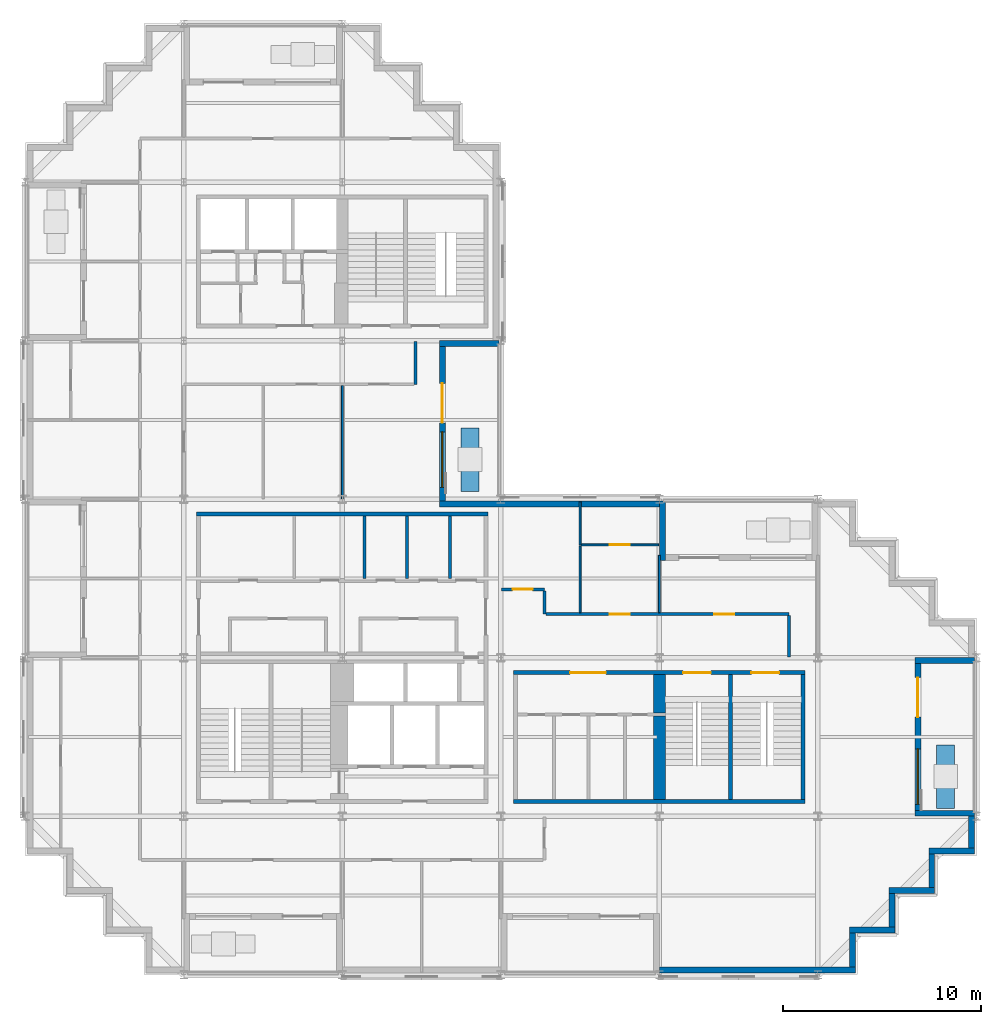
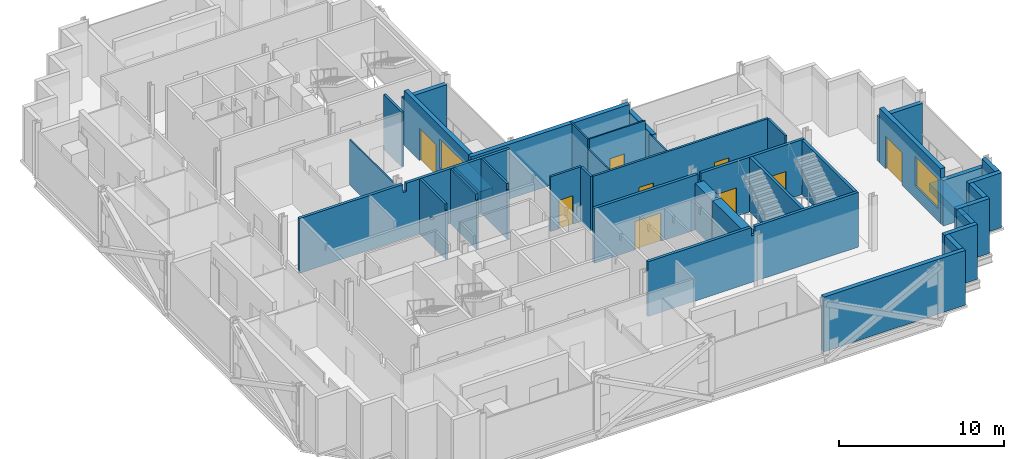
# One storey, part 7 of 13: 37 walls, 9 doors, 2 windows, 11 openings.
"""IFC4 building model written with IfcOpenShell, lengths in metres."""

from ifc_helpers import new_model, si_unit, direction, frame, frame_2d, origin, place, context, subcontext, project, spatial, polyline, rectangle, outline, extrude, material, layer, layer_set, type_object, element, fill, save


model = new_model("IFC4")

# Units and contexts
model_context = context("Model", 3, precision=1e-05, world=origin(), true_north=direction((0.0, 1.0)))
body_context = subcontext(model_context, "Body", "Model", "MODEL_VIEW")
ifc_project = project(units=[si_unit("LENGTHUNIT", "METRE"), si_unit("AREAUNIT", "SQUARE_METRE"), si_unit("VOLUMEUNIT", "CUBIC_METRE"), si_unit("PLANEANGLEUNIT", "RADIAN"), si_unit("MASSUNIT", "GRAM", prefix="KILO")], contexts=[model_context])

# Site, building, storey
site_placement = place(None, origin())
site = spatial("IfcSite", under=ifc_project, at=site_placement, CompositionType="ELEMENT")
building_placement = place(site_placement, origin())
building = spatial("IfcBuilding", under=site, at=building_placement, Name="Immortelle Media Tower", CompositionType="ELEMENT")
storey_placement = place(building_placement, frame((0.0, 0.0, 166.199951171875)))
storey = spatial("IfcBuildingStorey", under=building, at=storey_placement, Name="L34", CompositionType="ELEMENT", Elevation=166.199951171875)

# Walls
ifc_material_1 = material(Name="Fire-rated gypsum board", Category="gypsum")
ifc_layer_1 = layer(ifc_material_1, 0.02490234375)
ifc_material_2 = material(Name="Steel ASTM A653 SS Gr 50 stud frame with mineral wool", Category="steel")
ifc_layer_2 = layer(ifc_material_2, 0.10009765625)
ifc_layer_3 = layer(ifc_material_1, 0.02490234375)
ifc_layer_set_1 = layer_set([ifc_layer_1, ifc_layer_2, ifc_layer_3], Name="Steel ASTM A653 SS Gr 50 stud frame with mineral wool")
wall_type_1 = type_object("IfcWallType", Name="Core partition 150", PredefinedType="PARTITIONING", material=ifc_layer_set_1)
for number, where, z_axis, x_axis, name in (
    (1, (17.125, 20.0, 0.0), (0.0, 0.0, 1.0), (0.0, 1.0, 0.0), "Core partition SW"),
    (2, (19.27490234375, 20.0, 0.0), (0.0, 0.0, 1.0), (0.0, 1.0, 0.0), "Core partition SW"),
    (3, (21.425048828125, 20.0, 0.0), (0.0, 0.0, 1.0), (0.0, 1.0, 0.0), "Core partition SW"),
):
    element("IfcWall", number, at=place(storey_placement, frame(where, z_axis=z_axis, x_axis=x_axis)), inside=storey, type_object=wall_type_1, Name=name, PredefinedType="PARTITIONING", context=body_context, shape_type="SweptSolid", body=[
        extrude(outline(polyline([(0.0, 0.0), (3.14990234375, 0.0), (3.14990234375, 4.050048828125), (0.08154296875, 4.050048828125), (0.08056640625, 3.589111328125), (0.0, 3.589111328125), (0.0, 0.0)])), frame((0.0, 0.074951171875, 0.0), z_axis=(0.0, -1.0, 0.0), x_axis=(1.0, 0.0, 0.0)), (0.0, 0.0, 1.0), 0.14990234375),
    ])
ifc_layer_4 = layer(ifc_material_1, 0.03759765625)
ifc_layer_5 = layer(ifc_material_2, 0.125)
ifc_layer_6 = layer(ifc_material_1, 0.03759765625)
ifc_layer_set_2 = layer_set([ifc_layer_4, ifc_layer_5, ifc_layer_6], Name="Steel ASTM A653 SS Gr 50 stud frame with mineral wool")
wall_type_2 = type_object("IfcWallType", Name="Core shaft wall 200", PredefinedType="PARTITIONING", material=ifc_layer_set_2)
wall_1_placement = place(storey_placement, frame((8.64990234375, 23.25, 0.0), z_axis=(0.0, 0.0, 1.0), x_axis=(1.0, 0.0, 0.0)))
element("IfcWall", 4, at=wall_1_placement, inside=storey, type_object=wall_type_2, Name="Core shaft wall SW", PredefinedType="PARTITIONING", context=body_context, shape_type="SweptSolid", body=[
    extrude(outline(polyline([(0.0, 0.0), (14.7001953125, 0.0), (14.699951171875, 4.050048828125), (7.468994140625, 4.050048828125), (7.468017578125, 3.442138671875), (7.23193359375, 3.442138671875), (7.23095703125, 4.050048828125), (0.0, 4.050048828125), (0.0, 0.0)])), frame((0.0, 0.10009765625, 0.0), z_axis=(0.0, -1.0, 0.0), x_axis=(1.0, 0.0, 0.0)), (0.0, 0.0, 1.0), 0.199951171875),
])
ifc_layer_7 = layer(ifc_material_1, 0.012451171875)
ifc_layer_8 = layer(ifc_material_2, 0.125)
ifc_layer_9 = layer(ifc_material_1, 0.012451171875)
ifc_layer_set_3 = layer_set([ifc_layer_7, ifc_layer_8, ifc_layer_9], Name="Steel ASTM A653 SS Gr 50 stud frame with mineral wool")
wall_type_3 = type_object("IfcWallType", Name="Corridor wall 150", PredefinedType="PARTITIONING", material=ifc_layer_set_3)
wall_2_placement = place(storey_placement, frame((38.550048828125, 16.030029296875, 0.0), z_axis=(0.0, 0.0, 1.0), x_axis=(0.0, 1.0, 0.0)))
element("IfcWall", 5, at=wall_2_placement, inside=storey, type_object=wall_type_3, Name="Partition L34-010", PredefinedType="PARTITIONING", context=body_context, shape_type="SweptSolid", body=[
    extrude(rectangle(XDim=2.094970703125, YDim=0.14990234375, at=frame_2d((1.04736328125, 0.0))), origin(), (0.0, 0.0, 1.0), 4.050048828125),
])

# Wall, openings, doors
wall_3_placement = place(storey_placement, frame((26.27490234375, 18.199951171875, 0.0), z_axis=(0.0, 0.0, 1.0), x_axis=(1.0, 0.0, 0.0)))
wall_3 = element("IfcWall", 6, at=wall_3_placement, inside=storey, type_object=wall_type_3, Name="Partition L34-012", PredefinedType="PARTITIONING", context=body_context, shape_type="SweptSolid", body=[
    extrude(rectangle(XDim=12.275146484375, YDim=0.14990234375, at=frame_2d((6.1376953125, 0.0))), origin(), (0.0, 0.0, 1.0), 4.050048828125),
])
opening_1_placement = place(wall_3_placement, frame((8.5, 0.0, 0.0)))
opening_1 = element("IfcOpeningElement", 7, at=opening_1_placement, cuts=wall_3, Name="Opening C5-F007", PredefinedType="OPENING", context=body_context, shape_type="SweptSolid", body=[
    extrude(rectangle(XDim=1.0, YDim=2.10009765625, at=frame_2d((0.5, 1.050048828125))), frame((0.0, 0.0849609375, 0.0), z_axis=(0.0, -1.0, 0.0), x_axis=(1.0, 0.0, 0.0)), (0.0, 0.0, 1.0), 0.169921875),
])
opening_2_placement = place(wall_3_placement, frame((4.22509765625, 0.0, 0.0), z_axis=(0.0, 0.0, 1.0), x_axis=(-1.0, 0.0, 0.0)))
opening_2 = element("IfcOpeningElement", 8, at=opening_2_placement, cuts=wall_3, Name="Opening C5-F011", PredefinedType="OPENING", context=body_context, shape_type="SweptSolid", body=[
    extrude(rectangle(XDim=1.0, YDim=2.10009765625, at=frame_2d((0.5, 1.050048828125))), frame((0.0, 0.0849609375, 0.0), z_axis=(0.0, -1.0, 0.0), x_axis=(1.0, 0.0, 0.0)), (0.0, 0.0, 1.0), 0.169921875),
])
ifc_material_3 = material(Name="Timber veneered door leaf, galvanised steel frame ASTM A653", Category="steel")
door_type_1 = type_object("IfcDoorType", Name="Room door 1000 x 2100", OperationType="NOTDEFINED", PredefinedType="DOOR", material=ifc_material_3)
door_1_placement = place(opening_1_placement, origin())
door_1 = element("IfcDoor", 9, at=door_1_placement, inside=storey, type_object=door_type_1, Name="Door C5-F007", OperationType="SINGLE_SWING_LEFT", OverallHeight=2.10009765625, OverallWidth=1.0, PredefinedType="DOOR", context=body_context, shape_type="SweptSolid", body=[
    extrude(rectangle(XDim=1.0, YDim=2.10009765625, at=frame_2d((0.5, 1.050048828125))), frame((0.0, 0.02490234375, 0.0), z_axis=(0.0, -1.0, 0.0), x_axis=(1.0, 0.0, 0.0)), (0.0, 0.0, 1.0), 0.050048828125),
])
fill(opening_1, door_1)
door_2_placement = place(opening_2_placement, origin())
door_2 = element("IfcDoor", 10, at=door_2_placement, inside=storey, type_object=door_type_1, Name="Door C5-F011", OperationType="SINGLE_SWING_RIGHT", OverallHeight=2.10009765625, OverallWidth=1.0, PredefinedType="DOOR", context=body_context, shape_type="SweptSolid", body=[
    extrude(rectangle(XDim=1.0, YDim=2.10009765625, at=frame_2d((0.5, 1.050048828125))), frame((0.0, 0.02490234375, 0.0), z_axis=(0.0, -1.0, 0.0), x_axis=(1.0, 0.0, 0.0)), (0.0, 0.0, 1.0), 0.050048828125),
])
fill(opening_2, door_2)

# Wall
wall_4_placement = place(storey_placement, frame((26.199951171875, 18.199951171875, 0.0), z_axis=(0.0, 0.0, 1.0), x_axis=(0.0, 1.0, 0.0)))
element("IfcWall", 11, at=wall_4_placement, inside=storey, type_object=wall_type_3, Name="Partition L34-013", PredefinedType="PARTITIONING", context=body_context, shape_type="SweptSolid", body=[
    extrude(rectangle(XDim=1.175048828125, YDim=0.14990234375, at=frame_2d((0.58740234375, 0.0))), origin(), (0.0, 0.0, 1.0), 4.050048828125),
])

# Wall, opening, door
wall_5_placement = place(storey_placement, frame((24.030029296875, 19.449951171875, 0.0), z_axis=(0.0, 0.0, 1.0), x_axis=(1.0, 0.0, 0.0)))
wall_5 = element("IfcWall", 12, at=wall_5_placement, inside=storey, type_object=wall_type_3, Name="Partition L34-016", PredefinedType="PARTITIONING", context=body_context, shape_type="SweptSolid", body=[
    extrude(rectangle(XDim=2.169921875, YDim=0.14990234375, at=frame_2d((1.0849609375, 0.0))), origin(), (0.0, 0.0, 1.0), 4.050048828125),
])
opening_3_placement = place(wall_5_placement, frame((0.570068359375, 0.0, 0.0)))
opening_3 = element("IfcOpeningElement", 13, at=opening_3_placement, cuts=wall_5, Name="Opening C5-F010", PredefinedType="OPENING", context=body_context, shape_type="SweptSolid", body=[
    extrude(rectangle(XDim=1.0, YDim=2.10009765625, at=frame_2d((0.5, 1.050048828125))), frame((0.0, 0.0849609375, 0.0), z_axis=(0.0, -1.0, 0.0), x_axis=(1.0, 0.0, 0.0)), (0.0, 0.0, 1.0), 0.169921875),
])
door_3_placement = place(opening_3_placement, origin())
door_3 = element("IfcDoor", 14, at=door_3_placement, inside=storey, type_object=door_type_1, Name="Door C5-F010", OperationType="SINGLE_SWING_LEFT", OverallHeight=2.10009765625, OverallWidth=1.0, PredefinedType="DOOR", context=body_context, shape_type="SweptSolid", body=[
    extrude(rectangle(XDim=1.0, YDim=2.10009765625, at=frame_2d((0.5, 1.050048828125))), frame((0.0, 0.02490234375, 0.0), z_axis=(0.0, -1.0, 0.0), x_axis=(1.0, 0.0, 0.0)), (0.0, 0.0, 1.0), 0.050048828125),
])
fill(opening_3, door_3)

# Walls
wall_6_placement = place(storey_placement, frame((19.699951171875, 29.800048828125, 0.0), z_axis=(0.0, 0.0, 1.0), x_axis=(0.0, 1.0, 0.0)))
element("IfcWall", 15, at=wall_6_placement, inside=storey, type_object=wall_type_3, Name="Partition L34-028", PredefinedType="PARTITIONING", context=body_context, shape_type="SweptSolid", body=[
    extrude(rectangle(XDim=2.169921875, YDim=0.14990234375, at=frame_2d((1.0849609375, 0.0))), origin(), (0.0, 0.0, 1.0), 4.050048828125),
])
ifc_material_4 = material(Name="Pale aluminium cladding panel", Category="aluminium")
ifc_layer_10 = layer(ifc_material_4, 0.030029296875)
ifc_layer_11 = layer(ifc_material_2, 0.257568359375)
ifc_material_5 = material(Name="Moisture-resistant gypsum board", Category="gypsum")
ifc_layer_12 = layer(ifc_material_5, 0.012451171875)
ifc_layer_set_4 = layer_set([ifc_layer_10, ifc_layer_11, ifc_layer_12], Name="Steel ASTM A653 SS Gr 50 stud frame with mineral wool")
wall_type_4 = type_object("IfcWallType", Name="Facade wall 300", PredefinedType="SOLIDWALL", material=ifc_layer_set_4)
wall_7_placement = place(storey_placement, frame((32.0, 0.25, 0.0), z_axis=(0.0, 0.0, 1.0), x_axis=(1.0, 0.0, 0.0)))
element("IfcWall", 16, at=wall_7_placement, inside=storey, type_object=wall_type_4, Name="Facade wall L34 S6", PredefinedType="SOLIDWALL", context=body_context, shape_type="SweptSolid", body=[
    extrude(rectangle(XDim=9.89990234375, YDim=0.300048828125, at=frame_2d((4.949951171875, 0.0))), origin(), (0.0, 0.0, 1.0), 4.050048828125),
])
wall_8_placement = place(storey_placement, frame((41.75, 0.39990234375, 0.0), z_axis=(0.0, 0.0, 1.0), x_axis=(0.0, 1.0, 0.0)))
element("IfcWall", 17, at=wall_8_placement, inside=storey, type_object=wall_type_4, Name="Facade wall L34 E7", PredefinedType="SOLIDWALL", context=body_context, shape_type="SweptSolid", body=[
    extrude(rectangle(XDim=1.7001953125, YDim=0.300048828125, at=frame_2d((0.85009765625, 0.0))), origin(), (0.0, 0.0, 1.0), 4.050048828125),
])
wall_9_placement = place(storey_placement, frame((41.60009765625, 2.25, 0.0), z_axis=(0.0, 0.0, 1.0), x_axis=(1.0, 0.0, 0.0)))
element("IfcWall", 18, at=wall_9_placement, inside=storey, type_object=wall_type_4, Name="Facade wall L34 S8", PredefinedType="SOLIDWALL", context=body_context, shape_type="SweptSolid", body=[
    extrude(rectangle(XDim=2.2998046875, YDim=0.300048828125, at=frame_2d((1.14990234375, 0.0))), origin(), (0.0, 0.0, 1.0), 4.050048828125),
])
wall_10_placement = place(storey_placement, frame((43.75, 2.39990234375, 0.0), z_axis=(0.0, 0.0, 1.0), x_axis=(0.0, 1.0, 0.0)))
element("IfcWall", 19, at=wall_10_placement, inside=storey, type_object=wall_type_4, Name="Facade wall L34 E9", PredefinedType="SOLIDWALL", context=body_context, shape_type="SweptSolid", body=[
    extrude(rectangle(XDim=1.7001953125, YDim=0.300048828125, at=frame_2d((0.85009765625, 0.0))), origin(), (0.0, 0.0, 1.0), 4.050048828125),
])
wall_11_placement = place(storey_placement, frame((43.60009765625, 4.25, 0.0), z_axis=(0.0, 0.0, 1.0), x_axis=(1.0, 0.0, 0.0)))
element("IfcWall", 20, at=wall_11_placement, inside=storey, type_object=wall_type_4, Name="Facade wall L34 S10", PredefinedType="SOLIDWALL", context=body_context, shape_type="SweptSolid", body=[
    extrude(rectangle(XDim=2.2998046875, YDim=0.300048828125, at=frame_2d((1.14990234375, 0.0))), origin(), (0.0, 0.0, 1.0), 4.050048828125),
])
wall_12_placement = place(storey_placement, frame((45.75, 4.39990234375, 0.0), z_axis=(0.0, 0.0, 1.0), x_axis=(0.0, 1.0, 0.0)))
element("IfcWall", 21, at=wall_12_placement, inside=storey, type_object=wall_type_4, Name="Facade wall L34 E11", PredefinedType="SOLIDWALL", context=body_context, shape_type="SweptSolid", body=[
    extrude(rectangle(XDim=1.7001953125, YDim=0.300048828125, at=frame_2d((0.85009765625, 0.0))), origin(), (0.0, 0.0, 1.0), 4.050048828125),
])
wall_13_placement = place(storey_placement, frame((45.60009765625, 6.25, 0.0), z_axis=(0.0, 0.0, 1.0), x_axis=(1.0, 0.0, 0.0)))
element("IfcWall", 22, at=wall_13_placement, inside=storey, type_object=wall_type_4, Name="Facade wall L34 S12", PredefinedType="SOLIDWALL", context=body_context, shape_type="SweptSolid", body=[
    extrude(rectangle(XDim=2.2998046875, YDim=0.300048828125, at=frame_2d((1.14990234375, 0.0))), origin(), (0.0, 0.0, 1.0), 4.050048828125),
])
wall_14_placement = place(storey_placement, frame((47.75, 6.39990234375, 0.0), z_axis=(0.0, 0.0, 1.0), x_axis=(0.0, 1.0, 0.0)))
element("IfcWall", 23, at=wall_14_placement, inside=storey, type_object=wall_type_4, Name="Facade wall L34 E13", PredefinedType="SOLIDWALL", context=body_context, shape_type="SweptSolid", body=[
    extrude(rectangle(XDim=1.60009765625, YDim=0.300048828125, at=frame_2d((0.800048828125, 0.0))), origin(), (0.0, 0.0, 1.0), 4.050048828125),
])

# Wall, openings, door, window
wall_15_placement = place(storey_placement, frame((45.050048828125, 8.300048828125, 0.0), z_axis=(0.0, 0.0, 1.0), x_axis=(0.0, 1.0, 0.0)))
wall_15 = element("IfcWall", 24, at=wall_15_placement, inside=storey, type_object=wall_type_4, Name="Loggia wall L34 E13", PredefinedType="SOLIDWALL", context=body_context, shape_type="SweptSolid", body=[
    extrude(rectangle(XDim=7.39990234375, YDim=0.300048828125, at=frame_2d((3.699951171875, 0.0))), origin(), (0.0, 0.0, 1.0), 4.050048828125),
])
opening_4_placement = place(wall_15_placement, frame((0.300048828125, 0.0, 0.89990234375)))
opening_4 = element("IfcOpeningElement", 25, at=opening_4_placement, cuts=wall_15, Name="Opening W1", PredefinedType="OPENING", context=body_context, shape_type="SweptSolid", body=[
    extrude(rectangle(XDim=2.800048828125, YDim=2.199951171875, at=frame_2d((1.39990234375, 1.10009765625))), frame((0.0, 0.159912109375, 0.0), z_axis=(0.0, -1.0, 0.0), x_axis=(1.0, 0.0, 0.0)), (0.0, 0.0, 1.0), 0.320068359375),
])
opening_5_placement = place(wall_15_placement, frame((4.699951171875, 0.0, 0.0)))
opening_5 = element("IfcOpeningElement", 26, at=opening_5_placement, cuts=wall_15, Name="Opening C5-E003", PredefinedType="OPENING", context=body_context, shape_type="SweptSolid", body=[
    extrude(rectangle(XDim=2.0, YDim=2.39990234375, at=frame_2d((1.0, 1.199951171875))), frame((0.0, 0.159912109375, 0.0), z_axis=(0.0, -1.0, 0.0), x_axis=(1.0, 0.0, 0.0)), (0.0, 0.0, 1.0), 0.320068359375),
])
ifc_material_6 = material(Name="Aluminium frame, glazed leaves", Category="aluminium")
door_type_2 = type_object("IfcDoorType", Name="Loggia door 2000 x 2400", OperationType="DOUBLE_DOOR_SINGLE_SWING", PredefinedType="DOOR", material=ifc_material_6)
door_4_placement = place(opening_5_placement, origin())
door_4 = element("IfcDoor", 27, at=door_4_placement, inside=storey, type_object=door_type_2, Name="Door C5-E003", OperationType="DOUBLE_DOOR_SINGLE_SWING", OverallHeight=2.39990234375, OverallWidth=2.0, PredefinedType="DOOR", context=body_context, shape_type="SweptSolid", body=[
    extrude(rectangle(XDim=2.0, YDim=2.39990234375, at=frame_2d((1.0, 1.199951171875))), frame((0.0, 0.02490234375, 0.0), z_axis=(0.0, -1.0, 0.0), x_axis=(1.0, 0.0, 0.0)), (0.0, 0.0, 1.0), 0.050048828125),
])
fill(opening_5, door_4)
ifc_material_7 = material(Name="Aluminium frame", Category="aluminium")
window_type = type_object("IfcWindowType", Name="Window 2800 x 2200", PartitioningType="SINGLE_PANEL", PredefinedType="WINDOW", material=ifc_material_7)
window_1_placement = place(opening_4_placement, origin())
window_1 = element("IfcWindow", 28, at=window_1_placement, inside=storey, type_object=window_type, Name="Window L34 L34-R13-B0", OverallHeight=2.199951171875, OverallWidth=2.800048828125, PartitioningType="SINGLE_PANEL", PredefinedType="WINDOW", context=body_context, shape_type="SweptSolid", body=[
    extrude(rectangle(XDim=2.800048828125, YDim=2.199951171875, at=frame_2d((1.39990234375, 1.10009765625))), frame((0.0, 0.030029296875, 0.0), z_axis=(0.0, -1.0, 0.0), x_axis=(1.0, 0.0, 0.0)), (0.0, 0.0, 1.0), 0.06005859375),
])
fill(opening_4, window_1)

# Walls
for number, where, z_axis, x_axis, name in (
    (29, (47.89990234375, 8.14990234375, 0.0), (0.0, 0.0, 1.0), (-1.0, 0.0, 0.0), "Loggia cheek wall L34 E"),
    (30, (47.89990234375, 15.85009765625, 0.0), (0.0, 0.0, 1.0), (-1.0, 0.0, 0.0), "Loggia cheek wall L34 E"),
):
    element("IfcWall", number, at=place(storey_placement, frame(where, z_axis=z_axis, x_axis=x_axis)), inside=storey, type_object=wall_type_4, Name=name, PredefinedType="SOLIDWALL", context=body_context, shape_type="SweptSolid", body=[
        extrude(rectangle(XDim=3.0, YDim=0.300048828125, at=frame_2d((1.5, 0.0))), origin(), (0.0, 0.0, 1.0), 3.35302734375),
    ])
wall_16_placement = place(storey_placement, frame((32.14990234375, 23.89990234375, 0.0), z_axis=(0.0, 0.0, 1.0), x_axis=(0.0, -1.0, 0.0)))
element("IfcWall", 31, at=wall_16_placement, inside=storey, type_object=wall_type_4, Name="Loggia cheek wall L34 N", PredefinedType="SOLIDWALL", context=body_context, shape_type="SweptSolid", body=[
    extrude(rectangle(XDim=3.0, YDim=0.300048828125, at=frame_2d((1.5, 0.0))), origin(), (0.0, 0.0, 1.0), 3.43701171875),
])
wall_17_placement = place(storey_placement, frame((32.0, 23.75, 0.0), z_axis=(0.0, 0.0, 1.0), x_axis=(-1.0, 0.0, 0.0)))
element("IfcWall", 32, at=wall_17_placement, inside=storey, type_object=wall_type_4, Name="Facade wall L34 N20", PredefinedType="SOLIDWALL", context=body_context, shape_type="SweptSolid", body=[
    extrude(rectangle(XDim=11.10009765625, YDim=0.300048828125, at=frame_2d((5.550048828125, 0.0))), origin(), (0.0, 0.0, 1.0), 4.050048828125),
])

# Wall, openings, door, window
wall_18_placement = place(storey_placement, frame((21.050048828125, 23.89990234375, 0.0), z_axis=(0.0, 0.0, 1.0), x_axis=(0.0, 1.0, 0.0)))
wall_18 = element("IfcWall", 33, at=wall_18_placement, inside=storey, type_object=wall_type_4, Name="Loggia wall L34 E21", PredefinedType="SOLIDWALL", context=body_context, shape_type="SweptSolid", body=[
    extrude(rectangle(XDim=7.800048828125, YDim=0.300048828125, at=frame_2d((3.89990234375, 0.0))), origin(), (0.0, 0.0, 1.0), 4.050048828125),
])
opening_6_placement = place(wall_18_placement, frame((0.699951171875, 0.0, 0.89990234375)))
opening_6 = element("IfcOpeningElement", 34, at=opening_6_placement, cuts=wall_18, Name="Opening W1", PredefinedType="OPENING", context=body_context, shape_type="SweptSolid", body=[
    extrude(rectangle(XDim=2.800048828125, YDim=2.199951171875, at=frame_2d((1.39990234375, 1.10009765625))), frame((0.0, 0.159912109375, 0.0), z_axis=(0.0, -1.0, 0.0), x_axis=(1.0, 0.0, 0.0)), (0.0, 0.0, 1.0), 0.320068359375),
])
opening_7_placement = place(wall_18_placement, frame((3.949951171875, 0.0, 0.0)))
opening_7 = element("IfcOpeningElement", 35, at=opening_7_placement, cuts=wall_18, Name="Opening C5-E005", PredefinedType="OPENING", context=body_context, shape_type="SweptSolid", body=[
    extrude(rectangle(XDim=2.0, YDim=2.39990234375, at=frame_2d((1.0, 1.199951171875))), frame((0.0, 0.159912109375, 0.0), z_axis=(0.0, -1.0, 0.0), x_axis=(1.0, 0.0, 0.0)), (0.0, 0.0, 1.0), 0.320068359375),
])
door_5_placement = place(opening_7_placement, origin())
door_5 = element("IfcDoor", 36, at=door_5_placement, inside=storey, type_object=door_type_2, Name="Door C5-E005", OperationType="DOUBLE_DOOR_SINGLE_SWING", OverallHeight=2.39990234375, OverallWidth=2.0, PredefinedType="DOOR", context=body_context, shape_type="SweptSolid", body=[
    extrude(rectangle(XDim=2.0, YDim=2.39990234375, at=frame_2d((1.0, 1.199951171875))), frame((0.0, 0.02490234375, 0.0), z_axis=(0.0, -1.0, 0.0), x_axis=(1.0, 0.0, 0.0)), (0.0, 0.0, 1.0), 0.050048828125),
])
fill(opening_7, door_5)
window_2_placement = place(opening_6_placement, origin())
window_2 = element("IfcWindow", 37, at=window_2_placement, inside=storey, type_object=window_type, Name="Window L34 L34-R21-B0", OverallHeight=2.199951171875, OverallWidth=2.800048828125, PartitioningType="SINGLE_PANEL", PredefinedType="WINDOW", context=body_context, shape_type="SweptSolid", body=[
    extrude(rectangle(XDim=2.800048828125, YDim=2.199951171875, at=frame_2d((1.39990234375, 1.10009765625))), frame((0.0, 0.030029296875, 0.0), z_axis=(0.0, -1.0, 0.0), x_axis=(1.0, 0.0, 0.0)), (0.0, 0.0, 1.0), 0.06005859375),
])
fill(opening_6, window_2)

# Walls
wall_19_placement = place(storey_placement, frame((23.89990234375, 31.85009765625, 0.0), z_axis=(0.0, 0.0, 1.0), x_axis=(-1.0, 0.0, 0.0)))
element("IfcWall", 38, at=wall_19_placement, inside=storey, type_object=wall_type_4, Name="Loggia cheek wall L34 E", PredefinedType="SOLIDWALL", context=body_context, shape_type="SweptSolid", body=[
    extrude(rectangle(XDim=3.0, YDim=0.300048828125, at=frame_2d((1.5, 0.0))), origin(), (0.0, 0.0, 1.0), 3.43701171875),
])
ifc_material_8 = material(Name="Gypsum board", Category="gypsum")
ifc_layer_13 = layer(ifc_material_8, 0.012451171875)
ifc_layer_14 = layer(ifc_material_2, 0.074951171875)
ifc_layer_15 = layer(ifc_material_8, 0.012451171875)
ifc_layer_set_5 = layer_set([ifc_layer_13, ifc_layer_14, ifc_layer_15], Name="Steel ASTM A653 SS Gr 50 stud frame with mineral wool")
wall_type_5 = type_object("IfcWallType", Name="Partition 100", PredefinedType="PARTITIONING", material=ifc_layer_set_5)
wall_20_placement = place(storey_placement, frame((28.0, 18.27490234375, 0.0), z_axis=(0.0, 0.0, 1.0), x_axis=(0.0, 1.0, 0.0)))
element("IfcWall", 39, at=wall_20_placement, inside=storey, type_object=wall_type_5, Name="Partition L34-014", PredefinedType="PARTITIONING", context=body_context, shape_type="SweptSolid", body=[
    extrude(rectangle(XDim=3.375, YDim=0.10009765625, at=frame_2d((1.6875, 0.0))), origin(), (0.0, 0.0, 1.0), 3.35400390625),
])
wall_21_placement = place(storey_placement, frame((32.0, 18.27490234375, 0.0), z_axis=(0.0, 0.0, 1.0), x_axis=(0.0, 1.0, 0.0)))
element("IfcWall", 40, at=wall_21_placement, inside=storey, type_object=wall_type_5, Name="Partition L34-015", PredefinedType="PARTITIONING", context=body_context, shape_type="SweptSolid", body=[
    extrude(rectangle(XDim=2.89501953125, YDim=0.10009765625, at=frame_2d((1.447509765625, 0.0))), origin(), (0.0, 0.0, 1.0), 3.35400390625),
])

# Wall, opening, door
wall_22_placement = place(storey_placement, frame((28.050048828125, 21.699951171875, 0.0), z_axis=(0.0, 0.0, 1.0), x_axis=(1.0, 0.0, 0.0)))
wall_22 = element("IfcWall", 41, at=wall_22_placement, inside=storey, type_object=wall_type_5, Name="Partition L34-018", PredefinedType="PARTITIONING", context=body_context, shape_type="SweptSolid", body=[
    extrude(rectangle(XDim=3.919921875, YDim=0.10009765625, at=frame_2d((1.9599609375, 0.0))), origin(), (0.0, 0.0, 1.0), 4.050048828125),
])
opening_8_placement = place(wall_22_placement, frame((1.449951171875, 0.0, 0.0)))
opening_8 = element("IfcOpeningElement", 42, at=opening_8_placement, cuts=wall_22, Name="Opening C5-F012", PredefinedType="OPENING", context=body_context, shape_type="SweptSolid", body=[
    extrude(rectangle(XDim=1.0, YDim=2.10009765625, at=frame_2d((0.5, 1.050048828125))), frame((0.0, 0.06005859375, 0.0), z_axis=(0.0, -1.0, 0.0), x_axis=(1.0, 0.0, 0.0)), (0.0, 0.0, 1.0), 0.1201171875),
])
door_6_placement = place(opening_8_placement, origin())
door_6 = element("IfcDoor", 43, at=door_6_placement, inside=storey, type_object=door_type_1, Name="Door C5-F012", OperationType="SINGLE_SWING_LEFT", OverallHeight=2.10009765625, OverallWidth=1.0, PredefinedType="DOOR", context=body_context, shape_type="SweptSolid", body=[
    extrude(rectangle(XDim=1.0, YDim=2.10009765625, at=frame_2d((0.5, 1.050048828125))), frame((0.0, 0.02490234375, 0.0), z_axis=(0.0, -1.0, 0.0), x_axis=(1.0, 0.0, 0.0)), (0.0, 0.0, 1.0), 0.050048828125),
])
fill(opening_8, door_6)

# Walls
wall_23_placement = place(storey_placement, frame((28.0, 21.699951171875, 0.0), z_axis=(0.0, 0.0, 1.0), x_axis=(0.0, 1.0, 0.0)))
element("IfcWall", 44, at=wall_23_placement, inside=storey, type_object=wall_type_5, Name="Partition L34-019", PredefinedType="PARTITIONING", context=body_context, shape_type="SweptSolid", body=[
    extrude(rectangle(XDim=2.170166015625, YDim=0.10009765625, at=frame_2d((1.0849609375, 0.0))), origin(), (0.0, 0.0, 1.0), 4.050048828125),
])
wall_24_placement = place(storey_placement, frame((16.0, 24.030029296875, 0.0), z_axis=(0.0, 0.0, 1.0), x_axis=(0.0, 1.0, 0.0)))
element("IfcWall", 45, at=wall_24_placement, inside=storey, type_object=wall_type_5, Name="Partition L34-023", PredefinedType="PARTITIONING", context=body_context, shape_type="SweptSolid", body=[
    extrude(rectangle(XDim=5.695068359375, YDim=0.10009765625, at=frame_2d((2.84765625, 0.0))), origin(), (0.0, 0.0, 1.0), 3.35400390625),
])
ifc_layer_16 = layer(ifc_material_4, 0.0029296875)
ifc_material_9 = material(Name="Steel ASTM A572 Gr 50 planter shell", Category="steel")
ifc_layer_17 = layer(ifc_material_9, 0.011962890625)
ifc_material_10 = material(Name="Planting substrate", Category="soil")
ifc_layer_18 = layer(ifc_material_10, 0.873046875)
ifc_layer_19 = layer(ifc_material_9, 0.011962890625)
ifc_layer_set_6 = layer_set([ifc_layer_16, ifc_layer_17, ifc_layer_18, ifc_layer_19], Name="Steel ASTM A572 Gr 50 planter shell")
wall_type_6 = type_object("IfcWallType", Name="Planter wall 900", PredefinedType="SOLIDWALL", material=ifc_layer_set_6)
for number, where, z_axis, x_axis, name in (
    (46, (46.449951171875, 8.39990234375, 0.0), (0.0, 0.0, 1.0), (0.0, 1.0, 0.0), "Planter L34 E0"),
    (47, (22.449951171875, 24.39990234375, 0.0), (0.0, 0.0, 1.0), (0.0, 1.0, 0.0), "Planter L34 E0"),
):
    element("IfcWall", number, at=place(storey_placement, frame(where, z_axis=z_axis, x_axis=x_axis)), inside=storey, type_object=wall_type_6, Name=name, PredefinedType="SOLIDWALL", context=body_context, shape_type="SweptSolid", body=[
        extrude(rectangle(XDim=3.2001953125, YDim=0.89990234375, at=frame_2d((1.60009765625, 0.0))), origin(), (0.0, 0.0, 1.0), 0.60009765625),
    ])
ifc_material_11 = material(Name="Concrete C60", Category="concrete")
ifc_layer_20 = layer(ifc_material_11, 0.199951171875)
ifc_layer_set_7 = layer_set([ifc_layer_20], Name="Concrete C60")
wall_type_7 = type_object("IfcWallType", Name="Stair shaft wall 200", PredefinedType="PARTITIONING", material=ifc_layer_set_7)
wall_25_placement = place(storey_placement, frame((24.64990234375, 8.75, 0.0), z_axis=(0.0, 0.0, 1.0), x_axis=(1.0, 0.0, 0.0)))
element("IfcWall", 48, at=wall_25_placement, inside=storey, type_object=wall_type_7, Name="Stair shaft wall SE", PredefinedType="PARTITIONING", context=body_context, shape_type="SweptSolid", body=[
    extrude(outline(polyline([(0.0, 0.0), (14.7001953125, 0.0), (14.699951171875, 4.050048828125), (7.468994140625, 4.050048828125), (7.468017578125, 3.442138671875), (7.23193359375, 3.442138671875), (7.23095703125, 4.050048828125), (0.0, 4.050048828125), (0.0, 0.0)])), frame((0.0, 0.10009765625, 0.0), z_axis=(0.0, -1.0, 0.0), x_axis=(1.0, 0.0, 0.0)), (0.0, 0.0, 1.0), 0.199951171875),
])

# Wall, openings, doors
wall_26_placement = place(storey_placement, frame((24.64990234375, 15.25, 0.0), z_axis=(0.0, 0.0, 1.0), x_axis=(1.0, 0.0, 0.0)))
wall_26 = element("IfcWall", 49, at=wall_26_placement, inside=storey, type_object=wall_type_7, Name="Stair shaft wall SE", PredefinedType="PARTITIONING", context=body_context, shape_type="SweptSolid", body=[
    extrude(outline(polyline([(0.0, 0.0), (14.7001953125, 0.0), (14.699951171875, 4.050048828125), (7.468994140625, 4.050048828125), (7.468017578125, 3.442138671875), (7.23193359375, 3.442138671875), (7.23095703125, 4.050048828125), (0.0, 4.050048828125), (0.0, 0.0)])), frame((0.0, 0.10009765625, 0.0), z_axis=(0.0, -1.0, 0.0), x_axis=(1.0, 0.0, 0.0)), (0.0, 0.0, 1.0), 0.199951171875),
])
opening_9_placement = place(wall_26_placement, frame((2.85009765625, 0.0, 0.0)))
opening_9 = element("IfcOpeningElement", 50, at=opening_9_placement, cuts=wall_26, Name="Opening C5-K020", PredefinedType="OPENING", context=body_context, shape_type="SweptSolid", body=[
    extrude(rectangle(XDim=1.800048828125, YDim=2.10009765625, at=frame_2d((0.89990234375, 1.050048828125))), frame((0.0, 0.10986328125, 0.0), z_axis=(0.0, -1.0, 0.0), x_axis=(1.0, 0.0, 0.0)), (0.0, 0.0, 1.0), 0.219970703125),
])
opening_10_placement = place(wall_26_placement, frame((9.949951171875, 0.0, 0.0), z_axis=(0.0, 0.0, 1.0), x_axis=(-1.0, 0.0, 0.0)))
opening_10 = element("IfcOpeningElement", 51, at=opening_10_placement, cuts=wall_26, Name="Opening C5-K023", PredefinedType="OPENING", context=body_context, shape_type="SweptSolid", body=[
    extrude(rectangle(XDim=1.39990234375, YDim=2.10009765625, at=frame_2d((0.699951171875, 1.050048828125))), frame((0.0, 0.10986328125, 0.0), z_axis=(0.0, -1.0, 0.0), x_axis=(1.0, 0.0, 0.0)), (0.0, 0.0, 1.0), 0.219970703125),
])
opening_11_placement = place(wall_26_placement, frame((13.39990234375, 0.0, 0.0), z_axis=(0.0, 0.0, 1.0), x_axis=(-1.0, 0.0, 0.0)))
opening_11 = element("IfcOpeningElement", 52, at=opening_11_placement, cuts=wall_26, Name="Opening C5-K024", PredefinedType="OPENING", context=body_context, shape_type="SweptSolid", body=[
    extrude(rectangle(XDim=1.39990234375, YDim=2.10009765625, at=frame_2d((0.699951171875, 1.050048828125))), frame((0.0, 0.10986328125, 0.0), z_axis=(0.0, -1.0, 0.0), x_axis=(1.0, 0.0, 0.0)), (0.0, 0.0, 1.0), 0.219970703125),
])
ifc_material_12 = material(Name="Galvanised steel door leaf and frame ASTM A653", Category="steel")
door_type_3 = type_object("IfcDoorType", Name="Lift lobby door 1800 x 2100", OperationType="DOUBLE_DOOR_SINGLE_SWING", PredefinedType="NOTDEFINED", material=ifc_material_12)
door_7_placement = place(opening_9_placement, origin())
door_7 = element("IfcDoor", 53, at=door_7_placement, inside=storey, type_object=door_type_3, Name="Lift lobby C5-K020", OperationType="DOUBLE_DOOR_SINGLE_SWING", OverallHeight=2.10009765625, OverallWidth=1.800048828125, PredefinedType="NOTDEFINED", context=body_context, shape_type="SweptSolid", body=[
    extrude(rectangle(XDim=1.800048828125, YDim=2.10009765625, at=frame_2d((0.89990234375, 1.050048828125))), frame((0.0, 0.02490234375, 0.0), z_axis=(0.0, -1.0, 0.0), x_axis=(1.0, 0.0, 0.0)), (0.0, 0.0, 1.0), 0.050048828125),
])
fill(opening_9, door_7)
door_type_4 = type_object("IfcDoorType", Name="Stair door 1400 x 2100", OperationType="DOUBLE_DOOR_SINGLE_SWING", PredefinedType="NOTDEFINED", material=ifc_material_12)
door_8_placement = place(opening_10_placement, origin())
door_8 = element("IfcDoor", 54, at=door_8_placement, inside=storey, type_object=door_type_4, Name="Stair C5-K023", OperationType="DOUBLE_DOOR_SINGLE_SWING", OverallHeight=2.10009765625, OverallWidth=1.39990234375, PredefinedType="NOTDEFINED", context=body_context, shape_type="SweptSolid", body=[
    extrude(rectangle(XDim=1.39990234375, YDim=2.10009765625, at=frame_2d((0.699951171875, 1.050048828125))), frame((0.0, 0.02490234375, 0.0), z_axis=(0.0, -1.0, 0.0), x_axis=(1.0, 0.0, 0.0)), (0.0, 0.0, 1.0), 0.050048828125),
])
fill(opening_10, door_8)
door_9_placement = place(opening_11_placement, origin())
door_9 = element("IfcDoor", 55, at=door_9_placement, inside=storey, type_object=door_type_4, Name="Stair C5-K024", OperationType="DOUBLE_DOOR_SINGLE_SWING", OverallHeight=2.10009765625, OverallWidth=1.39990234375, PredefinedType="NOTDEFINED", context=body_context, shape_type="SweptSolid", body=[
    extrude(rectangle(XDim=1.39990234375, YDim=2.10009765625, at=frame_2d((0.699951171875, 1.050048828125))), frame((0.0, 0.02490234375, 0.0), z_axis=(0.0, -1.0, 0.0), x_axis=(1.0, 0.0, 0.0)), (0.0, 0.0, 1.0), 0.050048828125),
])
fill(opening_11, door_9)

# Walls
for number, where, z_axis, x_axis, name in (
    (56, (35.60009765625, 8.85009765625, 0.0), (0.0, 0.0, 1.0), (0.0, 1.0, 0.0), "Stair shaft wall SE"),
    (57, (39.25, 8.85009765625, 0.0), (0.0, 0.0, 1.0), (0.0, 1.0, 0.0), "Stair shaft wall SE"),
):
    element("IfcWall", number, at=place(storey_placement, frame(where, z_axis=z_axis, x_axis=x_axis)), inside=storey, type_object=wall_type_7, Name=name, PredefinedType="PARTITIONING", context=body_context, shape_type="SweptSolid", body=[
        extrude(rectangle(XDim=6.2998046875, YDim=0.199951171875, at=frame_2d((3.14990234375, 0.0))), origin(), (0.0, 0.0, 1.0), 4.050048828125),
    ])
ifc_layer_21 = layer(ifc_material_11, 0.60009765625)
ifc_layer_set_8 = layer_set([ifc_layer_21], Name="Concrete C60")
wall_type_8 = type_object("IfcWallType", Name="Stair shaft wall 600", PredefinedType="PARTITIONING", material=ifc_layer_set_8)
wall_27_placement = place(storey_placement, frame((32.0, 8.85009765625, 0.0), z_axis=(0.0, 0.0, 1.0), x_axis=(0.0, 1.0, 0.0)))
element("IfcWall", 58, at=wall_27_placement, inside=storey, type_object=wall_type_8, Name="Stair shaft wall SE", PredefinedType="PARTITIONING", context=body_context, shape_type="SweptSolid", body=[
    extrude(rectangle(XDim=4.199951171875, YDim=0.60009765625, at=frame_2d((2.10009765625, 0.0))), origin(), (0.0, 0.0, 1.0), 3.442138671875),
])
wall_28_placement = place(storey_placement, frame((32.0, 13.199951171875, 0.0), z_axis=(0.0, 0.0, 1.0), x_axis=(0.0, 1.0, 0.0)))
element("IfcWall", 59, at=wall_28_placement, inside=storey, type_object=wall_type_8, Name="Stair shaft wall SE", PredefinedType="PARTITIONING", context=body_context, shape_type="SweptSolid", body=[
    extrude(rectangle(XDim=1.949951171875, YDim=0.60009765625, at=frame_2d((0.97509765625, 0.0))), origin(), (0.0, 0.0, 1.0), 3.442138671875),
])

save(model, "model.ifc")
